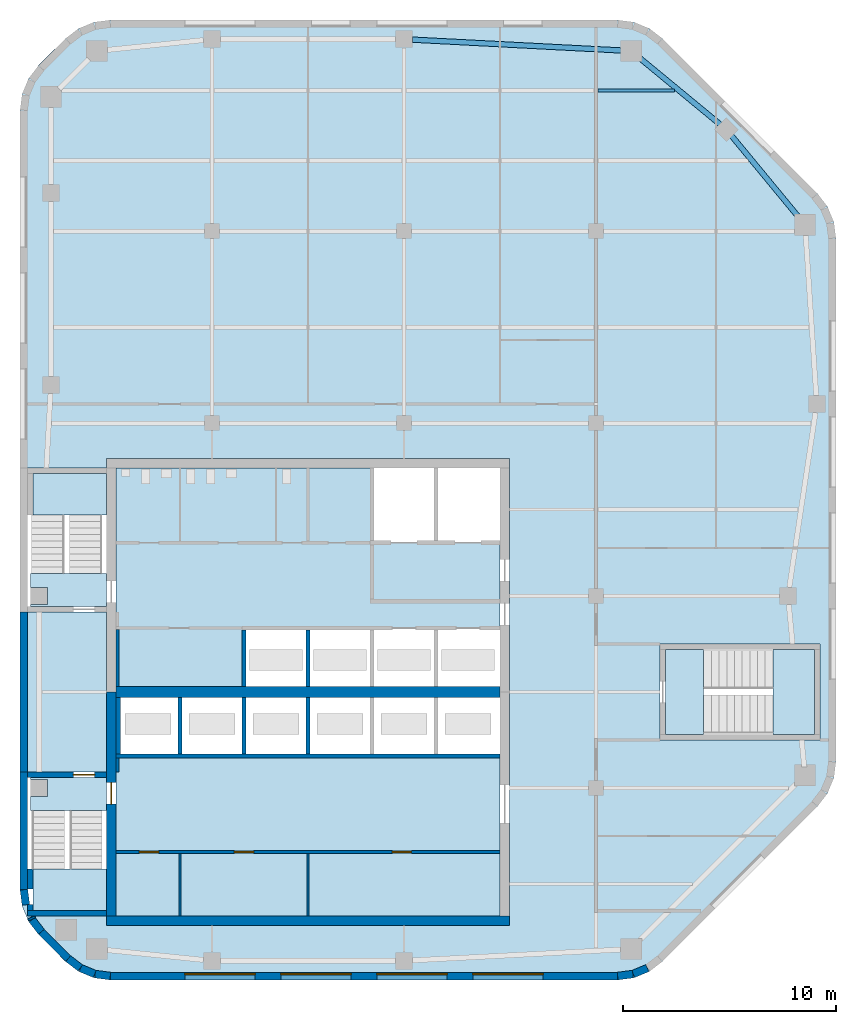
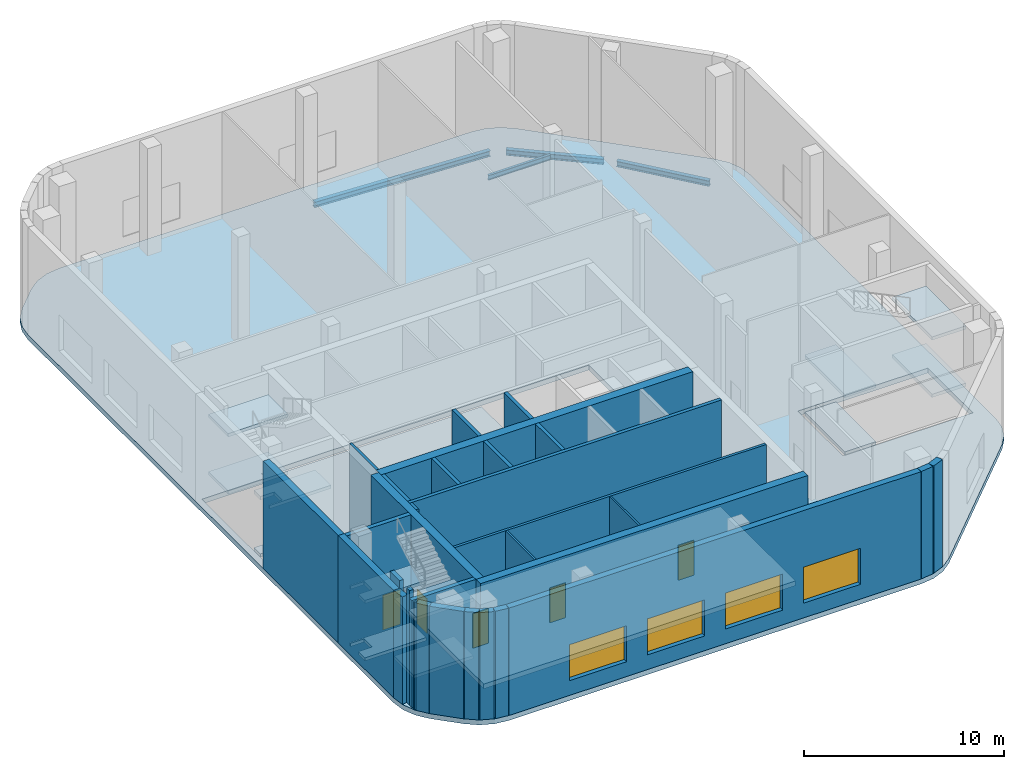
# One storey, part 2 of 8: 31 walls, 15 slabs, 5 doors, 4 beams, 4 windows, 9 openings, 3 elements without a shape of their own.
"""IFC4 building model written with IfcOpenShell, lengths in metres."""

from ifc_helpers import new_model, si_unit, direction, frame, frame_2d, origin, origin_2d, place, context, subcontext, project, spatial, polyline, rectangle, i_section, outline, extrude, material, layer, layer_set, material_profile, profile_set, type_object, element, fill, aggregate, save


model = new_model("IFC4")

# Units and contexts
model_context = context("Model", 3, precision=1e-05, world=origin(), true_north=direction((0.0, 1.0)))
body_context = subcontext(model_context, "Body", "Model", "MODEL_VIEW")
ifc_project = project(units=[si_unit("LENGTHUNIT", "METRE"), si_unit("AREAUNIT", "SQUARE_METRE"), si_unit("VOLUMEUNIT", "CUBIC_METRE"), si_unit("PLANEANGLEUNIT", "RADIAN"), si_unit("MASSUNIT", "GRAM", prefix="KILO")], contexts=[model_context])

# Site, building, storey
site_placement = place(None, origin())
site = spatial("IfcSite", under=ifc_project, at=site_placement, CompositionType="ELEMENT")
building_placement = place(site_placement, origin())
building = spatial("IfcBuilding", under=site, at=building_placement, Name="Cinnabar Reach Civic Tower", CompositionType="ELEMENT")
storey_placement = place(building_placement, frame((0.0, 0.0, 291.0)))
storey = spatial("IfcBuildingStorey", under=building, at=storey_placement, Name="L69", CompositionType="ELEMENT", Elevation=291.0)

# Beams
ifc_material_1 = material(Name="Steel Q355B", Category="steel")
ifc_material_profile_1 = material_profile(ifc_material_1, i_section(OverallWidth=0.25, OverallDepth=0.34, WebThickness=0.009, FlangeThickness=0.014, FilletRadius=0.013, at=origin_2d()), Name="HM340x250x9x14")
ifc_profile_set_1 = profile_set([ifc_material_profile_1], Name="Steel Q355B")
beam_type_1 = type_object("IfcBeamType", Name="HM340x250x9x14 beam R 180", PredefinedType="BEAM", material=ifc_profile_set_1)
for number, where, z_axis, x_axis, name in (
    (1, (36.4818, 53.7801, -0.47), (-0.636303312762, 0.771438976309, 0.0), (-0.771438976309, -0.636303312762, 0.0), "Edge beam T1 L69 9"),
    (2, (32.8486, 58.0822, -0.47), (-0.771438976309, 0.636303312762, 0.0), (-0.636303312762, -0.771438976309, 0.0), "Edge beam T1 L69 10"),
):
    element("IfcBeam", number, at=place(storey_placement, frame(where, z_axis=z_axis, x_axis=x_axis)), inside=storey, type_object=beam_type_1, Name=name, PredefinedType="BEAM", context=body_context, shape_type="SweptSolid", body=[
        extrude(i_section(OverallWidth=0.25, OverallDepth=0.34, WebThickness=0.009, FlangeThickness=0.014, FilletRadius=0.013, at=origin_2d()), origin(), (0.0, 0.0, 1.0), 4.9498),
    ])
beam_1_placement = place(storey_placement, frame((28.2661, 61.5667, -0.47), z_axis=(-0.998653533726, 0.051876001934, 0.0), x_axis=(-0.051876001934, -0.998653533726, 0.0)))
element("IfcBeam", 3, at=beam_1_placement, inside=storey, type_object=beam_type_1, Name="Edge beam T1 L69 11", PredefinedType="BEAM", context=body_context, shape_type="SweptSolid", body=[
    extrude(i_section(OverallWidth=0.25, OverallDepth=0.34, WebThickness=0.009, FlangeThickness=0.014, FilletRadius=0.013, at=origin_2d()), origin(), (0.0, 0.0, 1.0), 9.8774),
])
ifc_material_profile_2 = material_profile(ifc_material_1, i_section(OverallWidth=0.15, OverallDepth=0.3, WebThickness=0.0065, FlangeThickness=0.009, FilletRadius=0.013, at=origin_2d()), Name="HN300x150x6.5x9")
ifc_profile_set_2 = profile_set([ifc_material_profile_2], Name="Steel Q355B")
beam_type_2 = type_object("IfcBeamType", Name="HN300x150x6.5x9 beam R 180", PredefinedType="BEAM", material=ifc_profile_set_2)
beam_2_placement = place(storey_placement, frame((27.102, 59.7, -0.45), z_axis=(1.0, 0.0, 0.0), x_axis=(0.0, 1.0, 0.0)))
element("IfcBeam", 4, at=beam_2_placement, inside=storey, type_object=beam_type_2, Name="Secondary beam T1 L69 19", PredefinedType="BEAM", context=body_context, shape_type="SweptSolid", body=[
    extrude(i_section(OverallWidth=0.15, OverallDepth=0.3, WebThickness=0.0065, FlangeThickness=0.009, FilletRadius=0.013, at=origin_2d()), origin(), (0.0, 0.0, 1.0), 3.5856),
])

# Slab
ifc_material_2 = material(Name="Concrete C40", Category="concrete")
ifc_layer_1 = layer(ifc_material_2, 0.3)
ifc_layer_set_1 = layer_set([ifc_layer_1], Name="Plant floor slab 300 REI 150")
slab_type_1 = type_object("IfcSlabType", Name="Plant floor slab 300 REI 150", PredefinedType="FLOOR", material=ifc_layer_set_1)
slab_1_placement = place(storey_placement, frame((0.0, 0.0, -0.3)))
element("IfcSlab", 5, at=slab_1_placement, inside=storey, type_object=slab_type_1, Name="Plant floor slab 300 T1 L69", PredefinedType="FLOOR", context=body_context, shape_type="SweptSolid", body=[
    extrude(outline(polyline([(0.8787, 20.1213), (0.4019, 20.7426), (0.1022, 21.4662), (0.0, 22.2426), (0.0, 58.7574), (0.1022, 59.5338), (0.4019, 60.2574), (0.8787, 60.8787), (2.1213, 62.1213), (2.7426, 62.5981), (3.4662, 62.8978), (4.2426, 63.0), (28.0074, 63.0), (28.7838, 62.8978), (29.5074, 62.5981), (30.1287, 62.1213), (37.3713, 54.8787), (37.8481, 54.2574), (38.1478, 53.5338), (38.25, 52.7574), (38.25, 28.2426), (38.1478, 27.4662), (37.8481, 26.7426), (37.3713, 26.1213), (30.1287, 18.8787), (29.5074, 18.4019), (28.7838, 18.1022), (28.0074, 18.0), (4.2426, 18.0), (3.4662, 18.1022), (2.7426, 18.4019), (2.1213, 18.8787), (0.8787, 20.1213)]), holes=[polyline([(0.685, 21.0), (4.05, 21.0), (4.05, 20.55), (22.95, 20.55), (22.95, 42.45), (4.05, 42.45), (4.05, 42.0), (0.36, 42.0), (0.36, 35.25), (4.05, 35.25), (4.05, 27.75), (0.36, 27.75), (0.36, 22.2662), (0.453, 21.5602), (0.685, 21.0)]), polyline([(30.0, 33.75), (30.0, 29.25), (37.5, 29.25), (37.5, 33.75), (30.0, 33.75)])]), origin(), (0.0, 0.0, 1.0), 0.3),
])

# Stair, slabs
ifc_material_3 = material(Name="Concrete C40/50", Category="concrete")
stair_type = type_object("IfcStairType", Name="T1 Exit stair, double return", PredefinedType="DOUBLE_RETURN_STAIR", material=ifc_material_3)
stair_1_placement = place(storey_placement, origin())
stair_1 = element("IfcStair", 6, at=stair_1_placement, inside=storey, type_object=stair_type, Name="Stair T1-S1", PredefinedType="DOUBLE_RETURN_STAIR")
ifc_layer_2 = layer(ifc_material_3, 0.2)
ifc_layer_set_2 = layer_set([ifc_layer_2], Name="T1 Stair landing 200, Concrete C40/50")
slab_type_2 = type_object("IfcSlabType", Name="T1 Stair landing 200, Concrete C40/50", PredefinedType="LANDING", material=ifc_layer_set_2)
slab_2_placement = place(storey_placement, frame((0.0, 0.0, -0.2)))
slab_2 = element("IfcSlab", 7, at=slab_2_placement, type_object=slab_type_2, Name="T1-S1 landing 1", PredefinedType="LANDING", context=body_context, shape_type="SweptSolid", body=[
    extrude(outline(polyline([(0.5, 27.5), (4.05, 27.5), (4.05, 25.95), (0.5, 25.95), (0.5, 26.6), (1.3, 26.6), (1.3, 27.4), (0.5, 27.4), (0.5, 27.5)])), origin(), (0.0, 0.0, 1.0), 0.2),
])
slab_3_placement = place(storey_placement, frame((0.0, 0.0, 1.55)))
slab_3 = element("IfcSlab", 8, at=slab_3_placement, type_object=slab_type_2, Name="T1-S1 landing 2", PredefinedType="LANDING", context=body_context, shape_type="SweptSolid", body=[
    extrude(outline(polyline([(0.6, 21.25), (0.6, 23.205), (4.05, 23.205), (4.05, 21.25), (0.6, 21.25)])), origin(), (0.0, 0.0, 1.0), 0.2),
])
slab_4_placement = place(storey_placement, frame((0.0, 0.0, 3.3)))
slab_4 = element("IfcSlab", 9, at=slab_4_placement, type_object=slab_type_2, Name="T1-S1 landing 3", PredefinedType="LANDING", context=body_context, shape_type="SweptSolid", body=[
    extrude(outline(polyline([(0.5, 27.5), (4.05, 27.5), (4.05, 25.95), (0.5, 25.95), (0.5, 26.6), (1.3, 26.6), (1.3, 27.4), (0.5, 27.4), (0.5, 27.5)])), origin(), (0.0, 0.0, 1.0), 0.2),
])
slab_5_placement = place(storey_placement, frame((0.0, 0.0, 5.05)))
slab_5 = element("IfcSlab", 10, at=slab_5_placement, type_object=slab_type_2, Name="T1-S1 landing 4", PredefinedType="LANDING", context=body_context, shape_type="SweptSolid", body=[
    extrude(outline(polyline([(0.6, 21.25), (0.6, 23.205), (4.05, 23.205), (4.05, 21.25), (0.6, 21.25)])), origin(), (0.0, 0.0, 1.0), 0.2),
])
aggregate(stair_1, [slab_2, slab_3, slab_4, slab_5])

stair_2_placement = place(storey_placement, origin())
stair_2 = element("IfcStair", 11, at=stair_2_placement, inside=storey, type_object=stair_type, Name="Stair T1-S2", PredefinedType="DOUBLE_RETURN_STAIR")
slab_6_placement = place(storey_placement, frame((0.0, 0.0, -0.2)))
slab_6 = element("IfcSlab", 12, at=slab_6_placement, type_object=slab_type_2, Name="T1-S2 landing 1", PredefinedType="LANDING", context=body_context, shape_type="SweptSolid", body=[
    extrude(outline(polyline([(0.5, 37.05), (4.05, 37.05), (4.05, 35.5), (0.5, 35.5), (0.5, 35.6), (1.3, 35.6), (1.3, 36.4), (0.5, 36.4), (0.5, 37.05)])), origin(), (0.0, 0.0, 1.0), 0.2),
])
slab_7_placement = place(storey_placement, frame((0.0, 0.0, 1.55)))
slab_7 = element("IfcSlab", 13, at=slab_7_placement, type_object=slab_type_2, Name="T1-S2 landing 2", PredefinedType="LANDING", context=body_context, shape_type="SweptSolid", body=[
    extrude(outline(polyline([(0.6, 39.795), (0.6, 41.75), (4.05, 41.75), (4.05, 39.795), (0.6, 39.795)])), origin(), (0.0, 0.0, 1.0), 0.2),
])
slab_8_placement = place(storey_placement, frame((0.0, 0.0, 3.3)))
slab_8 = element("IfcSlab", 14, at=slab_8_placement, type_object=slab_type_2, Name="T1-S2 landing 3", PredefinedType="LANDING", context=body_context, shape_type="SweptSolid", body=[
    extrude(outline(polyline([(0.5, 37.05), (4.05, 37.05), (4.05, 35.5), (0.5, 35.5), (0.5, 35.6), (1.3, 35.6), (1.3, 36.4), (0.5, 36.4), (0.5, 37.05)])), origin(), (0.0, 0.0, 1.0), 0.2),
])
slab_9_placement = place(storey_placement, frame((0.0, 0.0, 5.05)))
slab_9 = element("IfcSlab", 15, at=slab_9_placement, type_object=slab_type_2, Name="T1-S2 landing 4", PredefinedType="LANDING", context=body_context, shape_type="SweptSolid", body=[
    extrude(outline(polyline([(0.6, 39.795), (0.6, 41.75), (4.05, 41.75), (4.05, 39.795), (0.6, 39.795)])), origin(), (0.0, 0.0, 1.0), 0.2),
])
aggregate(stair_2, [slab_6, slab_7, slab_8, slab_9])

stair_3_placement = place(storey_placement, origin())
stair_3 = element("IfcStair", 16, at=stair_3_placement, inside=storey, type_object=stair_type, Name="Stair T1-S3", PredefinedType="DOUBLE_RETURN_STAIR")
slab_10_placement = place(storey_placement, frame((0.0, 0.0, -0.2)))
slab_10 = element("IfcSlab", 17, at=slab_10_placement, type_object=slab_type_2, Name="T1-S3 landing 1", PredefinedType="LANDING", context=body_context, shape_type="SweptSolid", body=[
    extrude(outline(polyline([(30.25, 29.5), (32.05, 29.5), (32.05, 33.5), (30.25, 33.5), (30.25, 29.5)])), origin(), (0.0, 0.0, 1.0), 0.2),
])
slab_11_placement = place(storey_placement, frame((0.0, 0.0, 1.55)))
slab_11 = element("IfcSlab", 18, at=slab_11_placement, type_object=slab_type_2, Name="T1-S3 landing 2", PredefinedType="LANDING", context=body_context, shape_type="SweptSolid", body=[
    extrude(outline(polyline([(35.29, 29.5), (37.25, 29.5), (37.25, 33.5), (35.29, 33.5), (35.29, 29.5)])), origin(), (0.0, 0.0, 1.0), 0.2),
])
slab_12_placement = place(storey_placement, frame((0.0, 0.0, 3.3)))
slab_12 = element("IfcSlab", 19, at=slab_12_placement, type_object=slab_type_2, Name="T1-S3 landing 3", PredefinedType="LANDING", context=body_context, shape_type="SweptSolid", body=[
    extrude(outline(polyline([(30.25, 29.5), (32.05, 29.5), (32.05, 33.5), (30.25, 33.5), (30.25, 29.5)])), origin(), (0.0, 0.0, 1.0), 0.2),
])
slab_13_placement = place(storey_placement, frame((0.0, 0.0, 5.05)))
slab_13 = element("IfcSlab", 20, at=slab_13_placement, type_object=slab_type_2, Name="T1-S3 landing 4", PredefinedType="LANDING", context=body_context, shape_type="SweptSolid", body=[
    extrude(outline(polyline([(35.29, 29.5), (37.25, 29.5), (37.25, 33.5), (35.29, 33.5), (35.29, 29.5)])), origin(), (0.0, 0.0, 1.0), 0.2),
])
aggregate(stair_3, [slab_10, slab_11, slab_12, slab_13])

# Slabs
ifc_layer_3 = layer(ifc_material_3, 0.3)
ifc_layer_set_3 = layer_set([ifc_layer_3], Name="T1 core floor slab 300")
slab_type_3 = type_object("IfcSlabType", Name="T1 core floor slab 300", PredefinedType="FLOOR", material=ifc_layer_set_3)
slab_14_placement = place(storey_placement, frame((0.0, 0.0, -0.3)))
element("IfcSlab", 21, at=slab_14_placement, inside=storey, type_object=slab_type_3, Name="Core floor slab L69", PredefinedType="FLOOR", context=body_context, shape_type="SweptSolid", body=[
    extrude(outline(polyline([(22.5, 21.0), (4.5, 21.0), (4.5, 28.5), (7.5, 28.5), (10.5, 28.5), (13.5, 28.5), (16.5, 28.5), (19.5, 28.5), (22.5, 28.5), (22.5, 21.0)])), origin(), (0.0, 0.0, 1.0), 0.3),
])
slab_15_placement = place(storey_placement, frame((0.0, 0.0, -0.3)))
element("IfcSlab", 22, at=slab_15_placement, inside=storey, type_object=slab_type_3, Name="Core floor slab L69", PredefinedType="FLOOR", context=body_context, shape_type="SweptSolid", body=[
    extrude(outline(polyline([(22.5, 34.5), (19.5, 34.5), (16.5, 34.5), (13.5, 34.5), (10.5, 34.5), (10.5, 31.5), (7.5, 31.5), (4.5, 31.5), (4.5, 42.0), (16.5, 42.0), (16.5, 38.5), (19.5, 38.5), (22.5, 38.5), (22.5, 34.5)])), origin(), (0.0, 0.0, 1.0), 0.3),
])

# Walls
ifc_material_4 = material(Name="Facing brick with insulated backing", Category="masonry")
ifc_layer_4 = layer(ifc_material_4, 0.36)
ifc_layer_set_4 = layer_set([ifc_layer_4], Name="Brick corner wall")
wall_type_1 = type_object("IfcWallType", Name="Brick corner wall", PredefinedType="STANDARD", material=ifc_layer_set_4)
for number, where, z_axis, x_axis, name in (
    (23, (28.0186, 18.183, 0.0), (0.0, 0.0, 1.0), (0.99144092581, 0.13055608231, 0.0), "Brick corner wall"),
    (24, (28.7473, 18.2819, 0.0), (0.0, 0.0, 1.0), (0.923871547278, 0.382702709855, 0.0), "Brick corner wall"),
    (25, (0.183, 22.2314, 0.0), (0.0, 0.0, 1.0), (0.13055608231, -0.99144092581, 0.0), "Brick corner wall"),
):
    element("IfcWall", number, at=place(storey_placement, frame(where, z_axis=z_axis, x_axis=x_axis)), inside=storey, type_object=wall_type_1, Name=name, PredefinedType="STANDARD", context=body_context, shape_type="SweptSolid", body=[
        extrude(rectangle(XDim=0.7131, YDim=0.36, at=frame_2d((0.3565, 0.0))), origin(), (0.0, 0.0, 1.0), 6.55),
    ])
wall_1_placement = place(storey_placement, frame((0.5206, 20.9265, 0.0), z_axis=(0.0, 0.0, 1.0), x_axis=(0.382549378284, -0.923935048136, 0.0)))
element("IfcWall", 26, at=wall_1_placement, inside=storey, type_object=wall_type_1, Name="Brick corner wall", PredefinedType="STANDARD", context=body_context, shape_type="SweptSolid", body=[
    extrude(rectangle(XDim=0.0894, YDim=0.36, at=frame_2d((0.0447, 0.0))), origin(), (0.0, 0.0, 1.0), 6.55),
])
for number, where, z_axis, x_axis, name in (
    (27, (0.566, 20.8245, 0.0), (0.0, 0.0, 1.0), (0.608802368033, -0.793321924995, 0.0), "Brick corner wall"),
    (28, (2.2587, 19.0002, 0.0), (0.0, 0.0, 1.0), (0.793321924995, -0.608802368033, 0.0), "Brick corner wall"),
):
    element("IfcWall", number, at=place(storey_placement, frame(where, z_axis=z_axis, x_axis=x_axis)), inside=storey, type_object=wall_type_1, Name=name, PredefinedType="STANDARD", context=body_context, shape_type="SweptSolid", body=[
        extrude(rectangle(XDim=0.7132, YDim=0.36, at=frame_2d((0.3566, 0.0))), origin(), (0.0, 0.0, 1.0), 6.55),
    ])
for number, where, z_axis, x_axis, name in (
    (29, (2.8439, 18.5548, 0.0), (0.0, 0.0, 1.0), (0.923871547278, -0.382702709855, 0.0), "Brick corner wall"),
    (30, (3.5244, 18.2761, 0.0), (0.0, 0.0, 1.0), (0.99144092581, -0.13055608231, 0.0), "Brick corner wall"),
):
    element("IfcWall", number, at=place(storey_placement, frame(where, z_axis=z_axis, x_axis=x_axis)), inside=storey, type_object=wall_type_1, Name=name, PredefinedType="STANDARD", context=body_context, shape_type="SweptSolid", body=[
        extrude(rectangle(XDim=0.7131, YDim=0.36, at=frame_2d((0.3565, 0.0))), origin(), (0.0, 0.0, 1.0), 6.55),
    ])

# Wall, openings, windows
ifc_layer_5 = layer(ifc_material_4, 0.36)
ifc_layer_set_5 = layer_set([ifc_layer_5], Name="Brick pier and spandrel wall")
wall_type_2 = type_object("IfcWallType", Name="Brick pier and spandrel wall", PredefinedType="STANDARD", material=ifc_layer_set_5)
wall_2_placement = place(storey_placement, frame((4.2426, 18.18, 0.0), z_axis=(0.0, 0.0, 1.0), x_axis=(1.0, 0.0, 0.0)))
wall_2 = element("IfcWall", 31, at=wall_2_placement, inside=storey, type_object=wall_type_2, Name="Brick facade wall", PredefinedType="STANDARD", context=body_context, shape_type="SweptSolid", body=[
    extrude(rectangle(XDim=23.7648, YDim=0.36, at=frame_2d((11.8824, 0.0))), origin(), (0.0, 0.0, 1.0), 6.55),
])
opening_1_placement = place(wall_2_placement, frame((3.4824, 0.0, 0.9)))
opening_1 = element("IfcOpeningElement", 32, at=opening_1_placement, cuts=wall_2, Name="Opening W2333", PredefinedType="OPENING", context=body_context, shape_type="SweptSolid", body=[
    extrude(rectangle(XDim=3.3, YDim=2.2, at=frame_2d((1.65, 1.1))), frame((0.0, 0.19, 0.0), z_axis=(0.0, -1.0, 0.0), x_axis=(1.0, 0.0, 0.0)), (0.0, 0.0, 1.0), 0.38),
])
opening_2_placement = place(wall_2_placement, frame((7.9824, 0.0, 0.9)))
opening_2 = element("IfcOpeningElement", 33, at=opening_2_placement, cuts=wall_2, Name="Opening W2334", PredefinedType="OPENING", context=body_context, shape_type="SweptSolid", body=[
    extrude(rectangle(XDim=3.3, YDim=2.2, at=frame_2d((1.65, 1.1))), frame((0.0, 0.19, 0.0), z_axis=(0.0, -1.0, 0.0), x_axis=(1.0, 0.0, 0.0)), (0.0, 0.0, 1.0), 0.38),
])
opening_3_placement = place(wall_2_placement, frame((12.4824, 0.0, 0.9)))
opening_3 = element("IfcOpeningElement", 34, at=opening_3_placement, cuts=wall_2, Name="Opening W2335", PredefinedType="OPENING", context=body_context, shape_type="SweptSolid", body=[
    extrude(rectangle(XDim=3.3, YDim=2.2, at=frame_2d((1.65, 1.1))), frame((0.0, 0.19, 0.0), z_axis=(0.0, -1.0, 0.0), x_axis=(1.0, 0.0, 0.0)), (0.0, 0.0, 1.0), 0.38),
])
opening_4_placement = place(wall_2_placement, frame((16.9824, 0.0, 0.9)))
opening_4 = element("IfcOpeningElement", 35, at=opening_4_placement, cuts=wall_2, Name="Opening W2336", PredefinedType="OPENING", context=body_context, shape_type="SweptSolid", body=[
    extrude(rectangle(XDim=3.3, YDim=2.2, at=frame_2d((1.65, 1.1))), frame((0.0, 0.19, 0.0), z_axis=(0.0, -1.0, 0.0), x_axis=(1.0, 0.0, 0.0)), (0.0, 0.0, 1.0), 0.38),
])
ifc_material_5 = material(Name="Clear double glazing in aluminium frame", Category="aluminium")
window_type = type_object("IfcWindowType", Name="Deep-set window B", PartitioningType="SINGLE_PANEL", PredefinedType="WINDOW", material=ifc_material_5)
window_1_placement = place(opening_1_placement, origin())
window_1 = element("IfcWindow", 36, at=window_1_placement, inside=storey, type_object=window_type, Name="Window south face", OverallHeight=2.2, OverallWidth=3.3, PartitioningType="SINGLE_PANEL", PredefinedType="WINDOW", context=body_context, shape_type="SweptSolid", body=[
    extrude(rectangle(XDim=3.3, YDim=2.2, at=frame_2d((1.65, 1.1))), frame((0.0, 0.13, 0.0), z_axis=(0.0, -1.0, 0.0), x_axis=(1.0, 0.0, 0.0)), (0.0, 0.0, 1.0), 0.06),
])
fill(opening_1, window_1)
window_2_placement = place(opening_2_placement, origin())
window_2 = element("IfcWindow", 37, at=window_2_placement, inside=storey, type_object=window_type, Name="Window south face", OverallHeight=2.2, OverallWidth=3.3, PartitioningType="SINGLE_PANEL", PredefinedType="WINDOW", context=body_context, shape_type="SweptSolid", body=[
    extrude(rectangle(XDim=3.3, YDim=2.2, at=frame_2d((1.65, 1.1))), frame((0.0, 0.13, 0.0), z_axis=(0.0, -1.0, 0.0), x_axis=(1.0, 0.0, 0.0)), (0.0, 0.0, 1.0), 0.06),
])
fill(opening_2, window_2)
window_3_placement = place(opening_3_placement, origin())
window_3 = element("IfcWindow", 38, at=window_3_placement, inside=storey, type_object=window_type, Name="Window south face", OverallHeight=2.2, OverallWidth=3.3, PartitioningType="SINGLE_PANEL", PredefinedType="WINDOW", context=body_context, shape_type="SweptSolid", body=[
    extrude(rectangle(XDim=3.3, YDim=2.2, at=frame_2d((1.65, 1.1))), frame((0.0, 0.13, 0.0), z_axis=(0.0, -1.0, 0.0), x_axis=(1.0, 0.0, 0.0)), (0.0, 0.0, 1.0), 0.06),
])
fill(opening_3, window_3)
window_4_placement = place(opening_4_placement, origin())
window_4 = element("IfcWindow", 39, at=window_4_placement, inside=storey, type_object=window_type, Name="Window south face", OverallHeight=2.2, OverallWidth=3.3, PartitioningType="SINGLE_PANEL", PredefinedType="WINDOW", context=body_context, shape_type="SweptSolid", body=[
    extrude(rectangle(XDim=3.3, YDim=2.2, at=frame_2d((1.65, 1.1))), frame((0.0, 0.13, 0.0), z_axis=(0.0, -1.0, 0.0), x_axis=(1.0, 0.0, 0.0)), (0.0, 0.0, 1.0), 0.06),
])
fill(opening_4, window_4)

# Walls
wall_3_placement = place(storey_placement, frame((0.18, 35.25, 0.0), z_axis=(0.0, 0.0, 1.0), x_axis=(0.0, -1.0, 0.0)))
element("IfcWall", 40, at=wall_3_placement, inside=storey, type_object=wall_type_2, Name="Brick facade wall", PredefinedType="STANDARD", context=body_context, shape_type="SweptSolid", body=[
    extrude(rectangle(XDim=7.5, YDim=0.36, at=frame_2d((3.75, 0.0))), origin(), (0.0, 0.0, 1.0), 6.55),
])
wall_4_placement = place(storey_placement, frame((0.18, 27.75, 0.0), z_axis=(0.0, 0.0, 1.0), x_axis=(0.0, -1.0, 0.0)))
element("IfcWall", 41, at=wall_4_placement, inside=storey, type_object=wall_type_2, Name="Brick facade wall", PredefinedType="STANDARD", context=body_context, shape_type="SweptSolid", body=[
    extrude(rectangle(XDim=5.5074, YDim=0.36, at=frame_2d((2.7537, 0.0))), origin(), (0.0, 0.0, 1.0), 6.55),
])
wall_5_placement = place(storey_placement, frame((1.006, 20.2486, 0.0), z_axis=(0.0, 0.0, 1.0), x_axis=(0.707106781187, -0.707106781187, 0.0)))
element("IfcWall", 42, at=wall_5_placement, inside=storey, type_object=wall_type_2, Name="Brick facade wall", PredefinedType="STANDARD", context=body_context, shape_type="SweptSolid", body=[
    extrude(rectangle(XDim=1.7573, YDim=0.36, at=frame_2d((0.8787, 0.0))), origin(), (0.0, 0.0, 1.0), 6.55),
])
ifc_material_6 = material(Name="Concrete C60", Category="concrete")
ifc_layer_6 = layer(ifc_material_6, 0.45)
ifc_layer_set_6 = layer_set([ifc_layer_6], Name="Core wall 450 EI 180")
wall_type_3 = type_object("IfcWallType", Name="Core wall 450 EI 180", PredefinedType="SOLIDWALL", material=ifc_layer_set_6)
wall_6_placement = place(storey_placement, frame((4.05, 20.775, 0.0), z_axis=(0.0, 0.0, 1.0), x_axis=(1.0, 0.0, 0.0)))
element("IfcWall", 43, at=wall_6_placement, inside=storey, type_object=wall_type_3, Name="Core wall T1 L69 S", PredefinedType="SOLIDWALL", context=body_context, shape_type="SweptSolid", body=[
    extrude(rectangle(XDim=18.9, YDim=0.45, at=frame_2d((9.45, 0.0))), origin(), (0.0, 0.0, 1.0), 6.55),
])

# Wall, opening, door
wall_7_placement = place(storey_placement, frame((4.275, 31.5, 0.0), z_axis=(0.0, 0.0, 1.0), x_axis=(0.0, -1.0, 0.0)))
wall_7 = element("IfcWall", 44, at=wall_7_placement, inside=storey, type_object=wall_type_3, Name="Core wall T1 L69 W2", PredefinedType="SOLIDWALL", context=body_context, shape_type="SweptSolid", body=[
    extrude(rectangle(XDim=10.5, YDim=0.45, at=frame_2d((5.25, 0.0))), origin(), (0.0, 0.0, 1.0), 6.55),
])
opening_5_placement = place(wall_7_placement, frame((4.25, 0.0, 0.0)))
opening_5 = element("IfcOpeningElement", 45, at=opening_5_placement, cuts=wall_7, Name="Opening D5731", PredefinedType="OPENING", context=body_context, shape_type="SweptSolid", body=[
    extrude(rectangle(XDim=1.0, YDim=2.1, at=frame_2d((0.5, 1.05))), frame((0.0, 0.235, 0.0), z_axis=(0.0, -1.0, 0.0), x_axis=(1.0, 0.0, 0.0)), (0.0, 0.0, 1.0), 0.47),
])
ifc_material_7 = material(Name="Timber door leaf in steel frame", Category="steel")
door_type_1 = type_object("IfcDoorType", Name="Stair door 1000 x 2100 T1", OperationType="SINGLE_SWING_LEFT", PredefinedType="DOOR", material=ifc_material_7)
door_1_placement = place(opening_5_placement, frame((1.0, 0.0, 0.0), z_axis=(0.0, 0.0, 1.0), x_axis=(-1.0, 0.0, 0.0)))
door_1 = element("IfcDoor", 46, at=door_1_placement, inside=storey, type_object=door_type_1, Name="Door D5731", OperationType="SINGLE_SWING_RIGHT", OverallHeight=2.1, OverallWidth=1.0, PredefinedType="DOOR", context=body_context, shape_type="SweptSolid", body=[
    extrude(rectangle(XDim=1.0, YDim=2.1, at=frame_2d((0.5, 1.05))), frame((0.0, 0.025, 0.0), z_axis=(0.0, -1.0, 0.0), x_axis=(1.0, 0.0, 0.0)), (0.0, 0.0, 1.0), 0.05),
])
fill(opening_5, door_1)

# Wall
ifc_layer_7 = layer(ifc_material_6, 0.5)
ifc_layer_set_7 = layer_set([ifc_layer_7], Name="Core wall 500 EI 180")
wall_type_4 = type_object("IfcWallType", Name="Core wall 500 EI 180", PredefinedType="SOLIDWALL", material=ifc_layer_set_7)
wall_8_placement = place(storey_placement, frame((4.5, 31.5, 0.0), z_axis=(0.0, 0.0, 1.0), x_axis=(1.0, 0.0, 0.0)))
element("IfcWall", 47, at=wall_8_placement, inside=storey, type_object=wall_type_4, Name="Core spine wall T1 L69", PredefinedType="SOLIDWALL", context=body_context, shape_type="SweptSolid", body=[
    extrude(rectangle(XDim=18.0, YDim=0.5, at=frame_2d((9.0, 0.0))), origin(), (0.0, 0.0, 1.0), 6.55),
])

# Wall, openings, doors
ifc_material_8 = material(Name="Gypsum board on steel studs, double layer", Category="steel")
ifc_layer_8 = layer(ifc_material_8, 0.15)
ifc_layer_set_8 = layer_set([ifc_layer_8], Name="Corridor wall 150 T1")
wall_type_5 = type_object("IfcWallType", Name="Corridor wall 150 T1", PredefinedType="PARTITIONING", material=ifc_layer_set_8)
wall_9_placement = place(storey_placement, frame((4.5, 24.0, 0.0), z_axis=(0.0, 0.0, 1.0), x_axis=(1.0, 0.0, 0.0)))
wall_9 = element("IfcWall", 48, at=wall_9_placement, inside=storey, type_object=wall_type_5, Name="Corridor wall 19", PredefinedType="PARTITIONING", context=body_context, shape_type="SweptSolid", body=[
    extrude(rectangle(XDim=18.0, YDim=0.15, at=frame_2d((9.0, 0.0))), origin(), (0.0, 0.0, 1.0), 6.55),
])
opening_6_placement = place(wall_9_placement, frame((1.1, 0.0, 0.0)))
opening_6 = element("IfcOpeningElement", 49, at=opening_6_placement, cuts=wall_9, Name="Opening D5743", PredefinedType="OPENING", context=body_context, shape_type="SweptSolid", body=[
    extrude(rectangle(XDim=0.9, YDim=2.1, at=frame_2d((0.45, 1.05))), frame((0.0, 0.085, 0.0), z_axis=(0.0, -1.0, 0.0), x_axis=(1.0, 0.0, 0.0)), (0.0, 0.0, 1.0), 0.17),
])
opening_7_placement = place(wall_9_placement, frame((5.55, 0.0, 0.0)))
opening_7 = element("IfcOpeningElement", 50, at=opening_7_placement, cuts=wall_9, Name="Opening D5744", PredefinedType="OPENING", context=body_context, shape_type="SweptSolid", body=[
    extrude(rectangle(XDim=0.9, YDim=2.1, at=frame_2d((0.45, 1.05))), frame((0.0, 0.085, 0.0), z_axis=(0.0, -1.0, 0.0), x_axis=(1.0, 0.0, 0.0)), (0.0, 0.0, 1.0), 0.17),
])
opening_8_placement = place(wall_9_placement, frame((12.95, 0.0, 0.0)))
opening_8 = element("IfcOpeningElement", 51, at=opening_8_placement, cuts=wall_9, Name="Opening D5745", PredefinedType="OPENING", context=body_context, shape_type="SweptSolid", body=[
    extrude(rectangle(XDim=0.9, YDim=2.1, at=frame_2d((0.45, 1.05))), frame((0.0, 0.085, 0.0), z_axis=(0.0, -1.0, 0.0), x_axis=(1.0, 0.0, 0.0)), (0.0, 0.0, 1.0), 0.17),
])
door_type_2 = type_object("IfcDoorType", Name="Single swing door 900 x 2100 corridor T1", OperationType="SINGLE_SWING_LEFT", PredefinedType="DOOR", material=ifc_material_7)
door_2_placement = place(opening_6_placement, frame((0.9, 0.0, 0.0), z_axis=(0.0, 0.0, 1.0), x_axis=(-1.0, 0.0, 0.0)))
door_2 = element("IfcDoor", 52, at=door_2_placement, inside=storey, type_object=door_type_2, Name="Door D5743", OperationType="SINGLE_SWING_RIGHT", OverallHeight=2.1, OverallWidth=0.9, PredefinedType="DOOR", context=body_context, shape_type="SweptSolid", body=[
    extrude(rectangle(XDim=0.9, YDim=2.1, at=frame_2d((0.45, 1.05))), frame((0.0, 0.025, 0.0), z_axis=(0.0, -1.0, 0.0), x_axis=(1.0, 0.0, 0.0)), (0.0, 0.0, 1.0), 0.05),
])
fill(opening_6, door_2)
door_3_placement = place(opening_7_placement, frame((0.9, 0.0, 0.0), z_axis=(0.0, 0.0, 1.0), x_axis=(-1.0, 0.0, 0.0)))
door_3 = element("IfcDoor", 53, at=door_3_placement, inside=storey, type_object=door_type_2, Name="Door D5744", OperationType="SINGLE_SWING_RIGHT", OverallHeight=2.1, OverallWidth=0.9, PredefinedType="DOOR", context=body_context, shape_type="SweptSolid", body=[
    extrude(rectangle(XDim=0.9, YDim=2.1, at=frame_2d((0.45, 1.05))), frame((0.0, 0.025, 0.0), z_axis=(0.0, -1.0, 0.0), x_axis=(1.0, 0.0, 0.0)), (0.0, 0.0, 1.0), 0.05),
])
fill(opening_7, door_3)
door_4_placement = place(opening_8_placement, frame((0.9, 0.0, 0.0), z_axis=(0.0, 0.0, 1.0), x_axis=(-1.0, 0.0, 0.0)))
door_4 = element("IfcDoor", 54, at=door_4_placement, inside=storey, type_object=door_type_2, Name="Door D5745", OperationType="SINGLE_SWING_RIGHT", OverallHeight=2.1, OverallWidth=0.9, PredefinedType="DOOR", context=body_context, shape_type="SweptSolid", body=[
    extrude(rectangle(XDim=0.9, YDim=2.1, at=frame_2d((0.45, 1.05))), frame((0.0, 0.025, 0.0), z_axis=(0.0, -1.0, 0.0), x_axis=(1.0, 0.0, 0.0)), (0.0, 0.0, 1.0), 0.05),
])
fill(opening_8, door_4)

# Walls
wall_10_placement = place(storey_placement, frame((4.575, 31.75, 0.0), z_axis=(0.0, 0.0, 1.0), x_axis=(0.0, 1.0, 0.0)))
element("IfcWall", 55, at=wall_10_placement, inside=storey, type_object=wall_type_5, Name="Corridor wall 29", PredefinedType="PARTITIONING", context=body_context, shape_type="SweptSolid", body=[
    extrude(rectangle(XDim=2.675, YDim=0.15, at=frame_2d((1.3375, 0.0))), origin(), (0.0, 0.0, 1.0), 6.55),
])
wall_11_placement = place(storey_placement, frame((4.575, 27.75, 0.0), z_axis=(0.0, 0.0, 1.0), x_axis=(0.0, 1.0, 0.0)))
element("IfcWall", 56, at=wall_11_placement, inside=storey, type_object=wall_type_5, Name="Corridor wall 32", PredefinedType="PARTITIONING", context=body_context, shape_type="SweptSolid", body=[
    extrude(rectangle(XDim=0.65, YDim=0.15, at=frame_2d((0.325, 0.0))), origin(), (0.0, 0.0, 1.0), 6.55),
])
ifc_material_9 = material(Name="Blockwork", Category="masonry")
ifc_layer_9 = layer(ifc_material_9, 0.2)
ifc_layer_set_9 = layer_set([ifc_layer_9], Name="Lift shaft wall 200 T1")
wall_type_6 = type_object("IfcWallType", Name="Lift shaft wall 200 T1", PredefinedType="PARTITIONING", material=ifc_layer_set_9)
wall_12_placement = place(storey_placement, frame((4.5, 28.5, 0.0), z_axis=(0.0, 0.0, 1.0), x_axis=(1.0, 0.0, 0.0)))
element("IfcWall", 57, at=wall_12_placement, inside=storey, type_object=wall_type_6, Name="Lift shaft wall 4", PredefinedType="PARTITIONING", context=body_context, shape_type="SweptSolid", body=[
    extrude(rectangle(XDim=18.0, YDim=0.2, at=frame_2d((9.0, 0.0))), origin(), (0.0, 0.0, 1.0), 6.55),
])
for number, where, z_axis, x_axis, name in (
    (58, (10.5, 28.6, 0.0), (0.0, 0.0, 1.0), (0.0, 1.0, 0.0), "Lift shaft wall 6"),
    (59, (10.5, 31.75, 0.0), (0.0, 0.0, 1.0), (0.0, 1.0, 0.0), "Lift shaft wall 7"),
    (60, (13.5, 28.6, 0.0), (0.0, 0.0, 1.0), (0.0, 1.0, 0.0), "Lift shaft wall 8"),
    (61, (13.5, 31.75, 0.0), (0.0, 0.0, 1.0), (0.0, 1.0, 0.0), "Lift shaft wall 9"),
    (62, (4.6, 28.6, 0.0), (0.0, 0.0, 1.0), (0.0, 1.0, 0.0), "Lift shaft wall 16"),
    (63, (7.5, 28.6, 0.0), (0.0, 0.0, 1.0), (0.0, 1.0, 0.0), "Lift shaft wall 17"),
):
    element("IfcWall", number, at=place(storey_placement, frame(where, z_axis=z_axis, x_axis=x_axis)), inside=storey, type_object=wall_type_6, Name=name, PredefinedType="PARTITIONING", context=body_context, shape_type="SweptSolid", body=[
        extrude(rectangle(XDim=2.65, YDim=0.2, at=frame_2d((1.325, 0.0))), origin(), (0.0, 0.0, 1.0), 6.55),
    ])
ifc_material_10 = material(Name="Gypsum board on steel studs", Category="steel")
ifc_layer_10 = layer(ifc_material_10, 0.1)
ifc_layer_set_10 = layer_set([ifc_layer_10], Name="Partition wall 100 T1")
wall_type_7 = type_object("IfcWallType", Name="Partition wall 100 T1", PredefinedType="PARTITIONING", material=ifc_layer_set_10)
for number, where, z_axis, x_axis, name in (
    (64, (7.5, 21.0, 0.0), (0.0, 0.0, 1.0), (0.0, 1.0, 0.0), "Partition wall 46"),
    (65, (13.5, 21.0, 0.0), (0.0, 0.0, 1.0), (0.0, 1.0, 0.0), "Partition wall 47"),
):
    element("IfcWall", number, at=place(storey_placement, frame(where, z_axis=z_axis, x_axis=x_axis)), inside=storey, type_object=wall_type_7, Name=name, PredefinedType="PARTITIONING", context=body_context, shape_type="SweptSolid", body=[
        extrude(rectangle(XDim=2.925, YDim=0.1, at=frame_2d((1.4625, 0.0))), origin(), (0.0, 0.0, 1.0), 6.55),
    ])
ifc_layer_11 = layer(ifc_material_6, 0.25)
ifc_layer_set_11 = layer_set([ifc_layer_11], Name="Stair shaft wall 250 EI 120")
wall_type_8 = type_object("IfcWallType", Name="Stair shaft wall 250 EI 120", PredefinedType="SOLIDWALL", material=ifc_layer_set_11)
wall_13_placement = place(storey_placement, frame((0.36, 21.125, 0.0), z_axis=(0.0, 0.0, 1.0), x_axis=(1.0, 0.0, 0.0)))
element("IfcWall", 66, at=wall_13_placement, inside=storey, type_object=wall_type_8, Name="Stair shaft wall T1-S1 L69", PredefinedType="SOLIDWALL", context=body_context, shape_type="SweptSolid", body=[
    extrude(rectangle(XDim=3.69, YDim=0.25, at=frame_2d((1.845, 0.0))), origin(), (0.0, 0.0, 1.0), 6.55),
])

# Wall, opening, door
wall_14_placement = place(storey_placement, frame((4.05, 27.625, 0.0), z_axis=(0.0, 0.0, 1.0), x_axis=(-1.0, 0.0, 0.0)))
wall_14 = element("IfcWall", 67, at=wall_14_placement, inside=storey, type_object=wall_type_8, Name="Stair shaft wall T1-S1 L69", PredefinedType="SOLIDWALL", context=body_context, shape_type="SweptSolid", body=[
    extrude(rectangle(XDim=3.69, YDim=0.25, at=frame_2d((1.845, 0.0))), origin(), (0.0, 0.0, 1.0), 6.55),
])
opening_9_placement = place(wall_14_placement, frame((0.55, 0.0, 0.0)))
opening_9 = element("IfcOpeningElement", 68, at=opening_9_placement, cuts=wall_14, Name="Opening D5732", PredefinedType="OPENING", context=body_context, shape_type="SweptSolid", body=[
    extrude(rectangle(XDim=1.0, YDim=2.1, at=frame_2d((0.5, 1.05))), frame((0.0, 0.135, 0.0), z_axis=(0.0, -1.0, 0.0), x_axis=(1.0, 0.0, 0.0)), (0.0, 0.0, 1.0), 0.27),
])
door_5_placement = place(opening_9_placement, origin())
door_5 = element("IfcDoor", 69, at=door_5_placement, inside=storey, type_object=door_type_1, Name="Door D5732", OperationType="SINGLE_SWING_LEFT", OverallHeight=2.1, OverallWidth=1.0, PredefinedType="DOOR", context=body_context, shape_type="SweptSolid", body=[
    extrude(rectangle(XDim=1.0, YDim=2.1, at=frame_2d((0.5, 1.05))), frame((0.0, 0.025, 0.0), z_axis=(0.0, -1.0, 0.0), x_axis=(1.0, 0.0, 0.0)), (0.0, 0.0, 1.0), 0.05),
])
fill(opening_9, door_5)

# Walls
ifc_layer_12 = layer(ifc_material_3, 0.24)
ifc_layer_set_12 = layer_set([ifc_layer_12], Name="T1 landing bearer wall 240")
wall_type_9 = type_object("IfcWallType", Name="T1 landing bearer wall 240", PredefinedType="STANDARD", material=ifc_layer_set_12)
wall_15_placement = place(storey_placement, frame((0.48, 21.25, 0.0), z_axis=(0.0, 0.0, 1.0), x_axis=(0.0, 1.0, 0.0)))
element("IfcWall", 70, at=wall_15_placement, inside=storey, type_object=wall_type_9, Name="T1-S1 landing bearer wall", PredefinedType="STANDARD", context=body_context, shape_type="SweptSolid", body=[
    extrude(rectangle(XDim=0.2854, YDim=0.24, at=frame_2d((0.1427, 0.0))), origin(), (0.0, 0.0, 1.0), 7.0),
])
wall_16_placement = place(storey_placement, frame((0.48, 22.2549, 0.0), z_axis=(0.0, 0.0, 1.0), x_axis=(0.0, 1.0, 0.0)))
element("IfcWall", 71, at=wall_16_placement, inside=storey, type_object=wall_type_9, Name="T1-S1 landing bearer wall", PredefinedType="STANDARD", context=body_context, shape_type="SweptSolid", body=[
    extrude(rectangle(XDim=0.9501, YDim=0.24, at=frame_2d((0.475, 0.0))), origin(), (0.0, 0.0, 1.0), 7.0),
])

save(model, "model.ifc")
